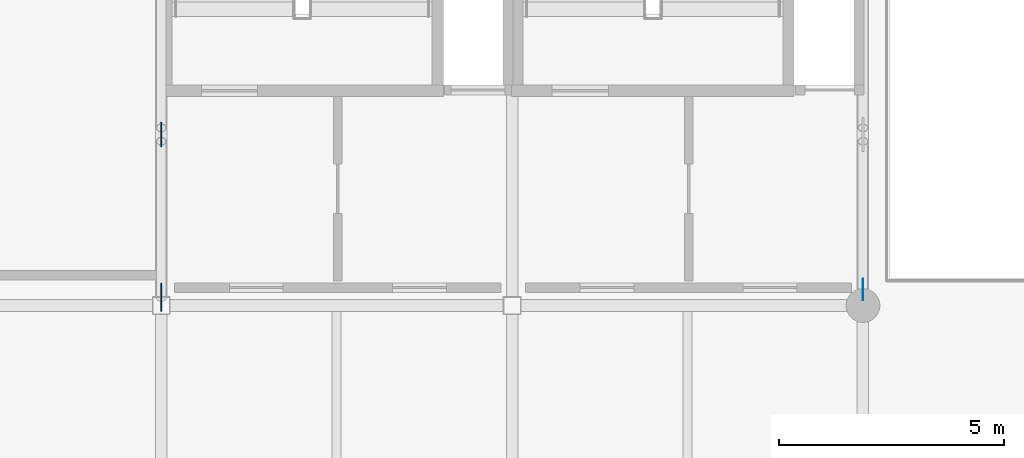
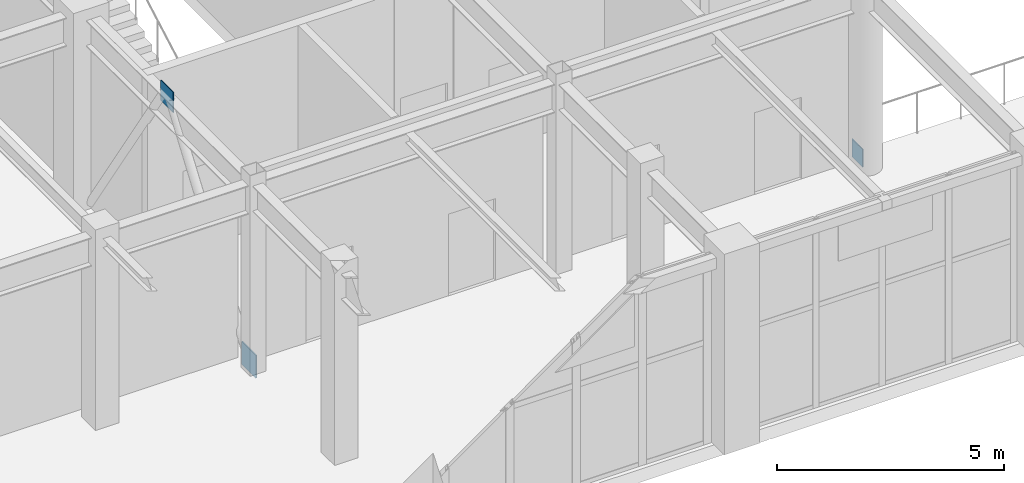
# One storey, part 117 of 139: 3 plates.
"""IFC4 building model written with IfcOpenShell, lengths in metres."""

from ifc_helpers import new_model, si_unit, direction, frame, origin, origin_2d, place, context, subcontext, project, spatial, rectangle, extrude, material, layer, layer_set, type_object, element, save


model = new_model("IFC4")

# Units and contexts
model_context = context("Model", 3, precision=1e-05, world=origin(), true_north=direction((0.0, 1.0)))
body_context = subcontext(model_context, "Body", "Model", "MODEL_VIEW")
ifc_project = project(units=[si_unit("LENGTHUNIT", "METRE"), si_unit("AREAUNIT", "SQUARE_METRE"), si_unit("VOLUMEUNIT", "CUBIC_METRE"), si_unit("PLANEANGLEUNIT", "RADIAN"), si_unit("MASSUNIT", "GRAM", prefix="KILO")], contexts=[model_context])

# Site, building, storey
site_placement = place(None, origin())
site = spatial("IfcSite", under=ifc_project, at=site_placement, CompositionType="ELEMENT")
building_placement = place(site_placement, origin())
building = spatial("IfcBuilding", under=site, at=building_placement, Name="Xicomal Pleat Aquarium", CompositionType="ELEMENT")
storey_placement = place(building_placement, origin())
storey = spatial("IfcBuildingStorey", under=building, at=storey_placement, Name="L01", CompositionType="ELEMENT", Elevation=0.0)

# Plates
ifc_material_1 = material(Name="Structural steel A992 Gr 50", Category="steel")
ifc_layer_1 = layer(ifc_material_1, 0.02001953125)
ifc_layer_set_1 = layer_set([ifc_layer_1], Name="Structural steel A992 Gr 50")
plate_type_1 = type_object("IfcPlateType", Name="PLT-CAP-20", PredefinedType="SHEET", material=ifc_layer_set_1)
plate_1_placement = place(storey_placement, frame((157.199951171875, 83.955078125, -0.090087890625), z_axis=(0.0, 0.0, 1.0), x_axis=(0.0, 1.0, 0.0)))
element("IfcPlate", 1, at=plate_1_placement, inside=storey, type_object=plate_type_1, Name="L01 HSS end cap plate 22", PredefinedType="SHEET", context=body_context, shape_type="SweptSolid", body=[
    extrude(rectangle(XDim=0.47998046875, YDim=0.02001953125, at=origin_2d()), origin(), (0.0, 0.0, 1.0), 0.47998046875),
])
ifc_material_2 = material(Name="Structural steel A992 Gr 50", Category="steel")
ifc_layer_2 = layer(ifc_material_2, 0.030029296875)
ifc_layer_set_2 = layer_set([ifc_layer_2], Name="Structural steel A992 Gr 50")
plate_type_2 = type_object("IfcPlateType", Name="PLT-CAP-30", PredefinedType="SHEET", material=ifc_layer_set_2)
plate_2_placement = place(storey_placement, frame((141.60009765625, 83.780029296875, -0.16015625), z_axis=(0.0, 0.0, 1.0), x_axis=(0.0, 1.0, 0.0)))
element("IfcPlate", 2, at=plate_2_placement, inside=storey, type_object=plate_type_2, Name="L01 HSS end cap plate 27", PredefinedType="SHEET", context=body_context, shape_type="SweptSolid", body=[
    extrude(rectangle(XDim=0.6201171875, YDim=0.030029296875, at=origin_2d()), origin(), (0.0, 0.0, 1.0), 0.6201171875),
])
ifc_material_3 = material(Name="Structural steel A992 Gr 50", Category="steel")
ifc_layer_3 = layer(ifc_material_3, 0.02490234375)
ifc_layer_set_3 = layer_set([ifc_layer_3], Name="Structural steel A992 Gr 50")
plate_type_3 = type_object("IfcPlateType", Name="PLT-GUS-25", PredefinedType="USERDEFINED", material=ifc_layer_set_3)
plate_3_placement = place(storey_placement, frame((141.60009765625, 87.39990234375, 4.77490234375), z_axis=(0.0, 0.0, 1.0), x_axis=(0.0, 1.0, 0.0)))
element("IfcPlate", 3, at=plate_3_placement, inside=storey, type_object=plate_type_3, Name="L01 chevron gusset node plate 27", ObjectType="GUSSET PLATE", PredefinedType="USERDEFINED", context=body_context, shape_type="SweptSolid", body=[
    extrude(rectangle(XDim=0.550048828125, YDim=0.02490234375, at=origin_2d()), origin(), (0.0, 0.0, 1.0), 0.550048828125),
])

save(model, "model.ifc")
